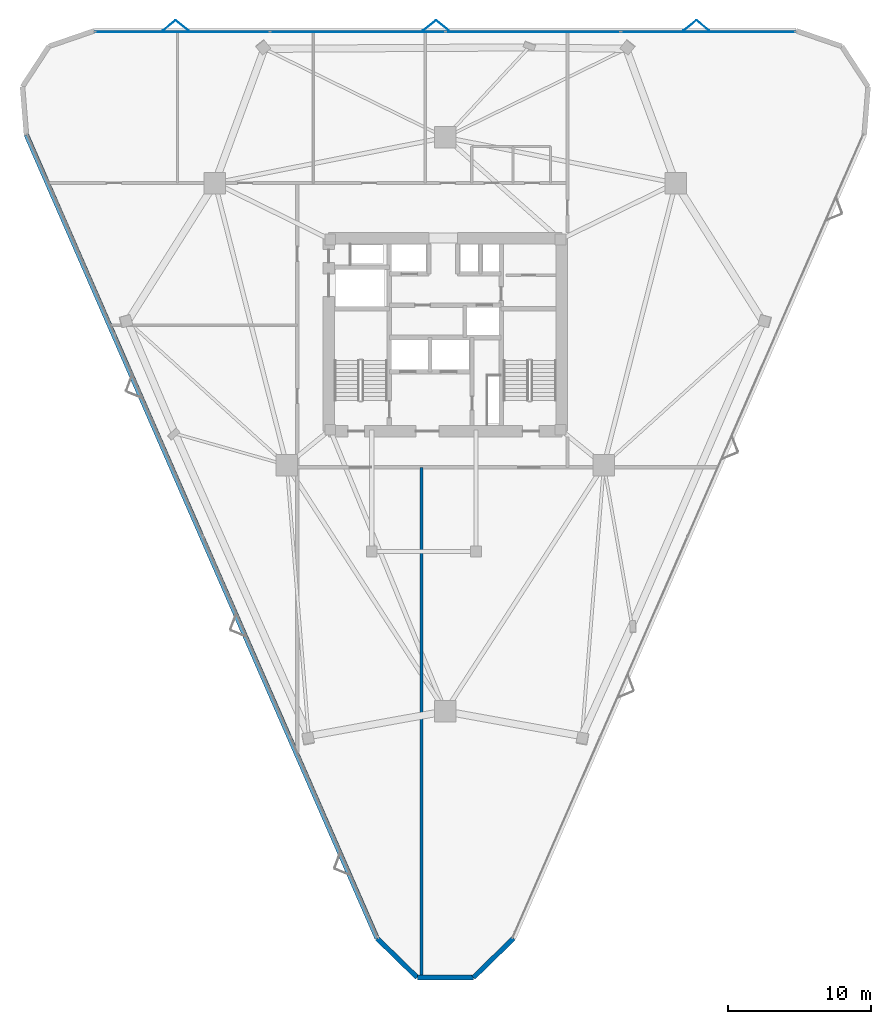
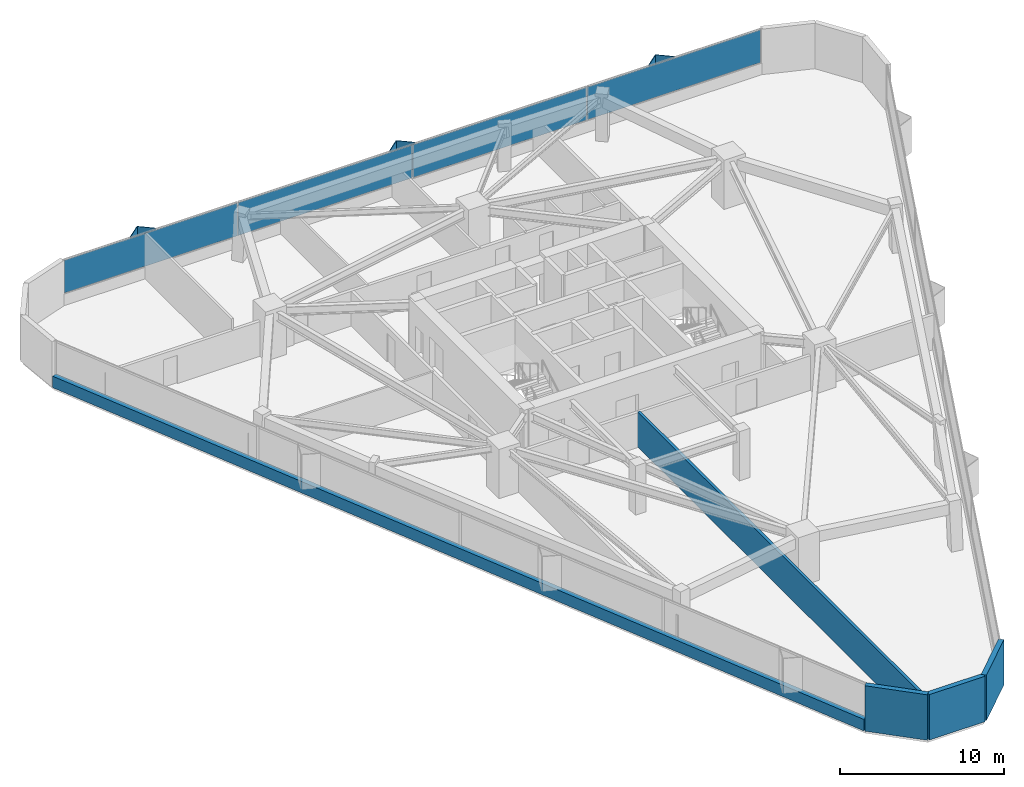
# One storey, part 11 of 15: 10 plates, 5 walls, 1 element without a shape of its own.
"""IFC4 building model written with IfcOpenShell, lengths in metres."""

from ifc_helpers import new_model, si_unit, direction, frame, frame_2d, origin, origin_2d, place, context, subcontext, project, spatial, rectangle, extrude, material, layer, layer_set, type_object, element, aggregate, save


model = new_model("IFC4")

# Units and contexts
model_context = context("Model", 3, precision=1e-05, world=origin(), true_north=direction((0.0, 1.0)))
body_context = subcontext(model_context, "Body", "Model", "MODEL_VIEW")
ifc_project = project(units=[si_unit("LENGTHUNIT", "METRE"), si_unit("AREAUNIT", "SQUARE_METRE"), si_unit("VOLUMEUNIT", "CUBIC_METRE"), si_unit("PLANEANGLEUNIT", "RADIAN"), si_unit("MASSUNIT", "GRAM", prefix="KILO")], contexts=[model_context])

# Site, building, storey
site_placement = place(None, origin())
site = spatial("IfcSite", under=ifc_project, at=site_placement, CompositionType="ELEMENT")
building_placement = place(site_placement, origin())
building = spatial("IfcBuilding", under=site, at=building_placement, Name="Talyreon Biosciences Tower", CompositionType="ELEMENT")
storey_placement = place(building_placement, frame((0.0, 0.0, 127.199951171875)))
storey = spatial("IfcBuildingStorey", under=building, at=storey_placement, Name="L33", CompositionType="ELEMENT", Elevation=127.199951171875)

# Curtain wall, plates
ifc_material_1 = material(Name="Thermally broken aluminium and low-E glazing", Category="aluminium")
ifc_layer_1 = layer(ifc_material_1, 0.18505859375)
ifc_layer_set_1 = layer_set([ifc_layer_1], Name="Thermally broken aluminium and low-E glazing")
curtain_wall_type = type_object("IfcCurtainWallType", Name="CurtainWall_Zone3Bioprocess", PredefinedType="NOTDEFINED", material=ifc_layer_set_1)
curtain_wall_placement = place(storey_placement, origin())
curtain_wall = element("IfcCurtainWall", 1, at=curtain_wall_placement, inside=storey, type_object=curtain_wall_type, Name="L33 Unitised Curtain Wall FCW-L33-04", PredefinedType="NOTDEFINED")
ifc_material_2 = material(Name="Triple-silver low-E insulated glazing", Category="glass")
ifc_layer_2 = layer(ifc_material_2, 0.031982421875)
ifc_layer_set_2 = layer_set([ifc_layer_2], Name="Triple-silver low-E insulated glazing")
plate_type_1 = type_object("IfcPlateType", Name="CWGlazingPanel_32", PredefinedType="CURTAIN_PANEL", material=ifc_layer_set_2)
plate_1_placement = place(storey_placement, frame((47.6240234375, 89.173095703125, 0.875), z_axis=(0.0, 0.0, 1.0), x_axis=(1.0, 0.0, 0.0)))
plate_1 = element("IfcPlate", 2, at=plate_1_placement, type_object=plate_type_1, Name="CW4 panel 1.1", PredefinedType="CURTAIN_PANEL", context=body_context, shape_type="SweptSolid", body=[
    extrude(rectangle(XDim=12.1640625, YDim=0.031982421875, at=origin_2d()), origin(), (0.0, 0.0, 1.0), 2.43505859375),
])
plate_2_placement = place(storey_placement, frame((59.869140625, 89.173095703125, 0.875), z_axis=(0.0, 0.0, 1.0), x_axis=(1.0, 0.0, 0.0)))
plate_2 = element("IfcPlate", 3, at=plate_2_placement, type_object=plate_type_1, Name="CW4 panel 2.1", PredefinedType="CURTAIN_PANEL", context=body_context, shape_type="SweptSolid", body=[
    extrude(rectangle(XDim=12.196533203125, YDim=0.031982421875, at=origin_2d()), origin(), (0.0, 0.0, 1.0), 2.43505859375),
])
plate_3_placement = place(storey_placement, frame((72.130859375, 89.173095703125, 0.875), z_axis=(0.0, 0.0, 1.0), x_axis=(1.0, 0.0, 0.0)))
plate_3 = element("IfcPlate", 4, at=plate_3_placement, type_object=plate_type_1, Name="CW4 panel 3.1", PredefinedType="CURTAIN_PANEL", context=body_context, shape_type="SweptSolid", body=[
    extrude(rectangle(XDim=12.196533203125, YDim=0.031982421875, at=origin_2d()), origin(), (0.0, 0.0, 1.0), 2.43505859375),
])
plate_4_placement = place(storey_placement, frame((84.3759765625, 89.173095703125, 0.875), z_axis=(0.0, 0.0, 1.0), x_axis=(1.0, 0.0, 0.0)))
plate_4 = element("IfcPlate", 5, at=plate_4_placement, type_object=plate_type_1, Name="CW4 panel 4.1", PredefinedType="CURTAIN_PANEL", context=body_context, shape_type="SweptSolid", body=[
    extrude(rectangle(XDim=12.1640625, YDim=0.031982421875, at=origin_2d()), origin(), (0.0, 0.0, 1.0), 2.43505859375),
])
aggregate(curtain_wall, [plate_1, plate_2, plate_3, plate_4])

# Plates
ifc_material_3 = material(Name="Ivory GFRC sunshade panel", Category="concrete")
ifc_layer_3 = layer(ifc_material_3, 0.044921875)
ifc_layer_set_3 = layer_set([ifc_layer_3], Name="Ivory GFRC sunshade panel")
plate_type_2 = type_object("IfcPlateType", Name="FoldedVSunshade_NorthFace_SUNSHADE", PredefinedType="USERDEFINED", material=ifc_layer_set_3)
for number, where, z_axis, x_axis, name in (
    (6, (46.697021484375, 89.613037109375, 0.7900390625), (0.0, 0.0, 1.0), (0.771624583388, 0.636078220278, 0.0), "L33 Folded V-Sunshade Panel 04.01L"),
    (7, (47.596923828125, 89.613037109375, 0.7900390625), (0.0, 0.0, 1.0), (0.771624583388, -0.636078220278, 0.0), "L33 Folded V-Sunshade Panel 04.01R"),
    (8, (64.89697265625, 89.613037109375, 0.7900390625), (0.0, 0.0, 1.0), (0.771624583388, 0.636078220278, 0.0), "L33 Folded V-Sunshade Panel 04.02L"),
    (9, (65.796875, 89.613037109375, 0.7900390625), (0.0, 0.0, 1.0), (0.771624583388, -0.636078220278, 0.0), "L33 Folded V-Sunshade Panel 04.02R"),
    (10, (83.096923828125, 89.613037109375, 0.7900390625), (0.0, 0.0, 1.0), (0.771624583388, 0.636078220278, 0.0), "L33 Folded V-Sunshade Panel 04.03L"),
    (11, (83.996826171875, 89.613037109375, 0.7900390625), (0.0, 0.0, 1.0), (0.771624583388, -0.636078220278, 0.0), "L33 Folded V-Sunshade Panel 04.03R"),
):
    element("IfcPlate", number, at=place(storey_placement, frame(where, z_axis=z_axis, x_axis=x_axis)), inside=storey, type_object=plate_type_2, Name=name, ObjectType="SUNSHADE", PredefinedType="USERDEFINED", context=body_context, shape_type="SweptSolid", body=[
        extrude(rectangle(XDim=1.14990234375, YDim=0.044921875, at=origin_2d()), origin(), (0.0, 0.0, 1.0), 2.5849609375),
    ])

# Walls
ifc_material_4 = material(Name="Gypsum fireboard acoustic stud", Category="gypsum")
ifc_layer_4 = layer(ifc_material_4, 0.199951171875)
ifc_layer_set_4 = layer_set([ifc_layer_4], Name="Gypsum fireboard acoustic stud")
wall_type_1 = type_object("IfcWallType", Name="ChemControlPartition_200", PredefinedType="PARTITIONING", material=ifc_layer_set_4)
wall_1_placement = place(storey_placement, frame((64.330078125, 23.1416015625, 0.0), z_axis=(0.0, 0.0, 1.0), x_axis=(0.0, 1.0, 0.0)))
element("IfcWall", 12, at=wall_1_placement, inside=storey, type_object=wall_type_1, Name="L33 Interior Wall IW-L33-SDIV1", PredefinedType="PARTITIONING", context=body_context, shape_type="SweptSolid", body=[
    extrude(rectangle(XDim=35.58837890625, YDim=0.199951171875, at=frame_2d((17.794189453125, 0.0))), origin(), (0.0, 0.0, 1.0), 2.574951171875),
])
ifc_material_5 = material(Name="Precast concrete C45/55", Category="concrete")
ifc_layer_5 = layer(ifc_material_5, 0.340087890625)
ifc_layer_set_5 = layer_set([ifc_layer_5], Name="Precast concrete C45/55")
wall_type_2 = type_object("IfcWallType", Name="PrecastConcreteSpandrelWall_340", PredefinedType="STANDARD", material=ifc_layer_set_5)
wall_2_placement = place(storey_placement, frame((61.234375, 25.79296875, 0.0), z_axis=(0.0, 0.0, 1.0), x_axis=(-0.400059849946, 0.916489016007, 0.0)))
element("IfcWall", 13, at=wall_2_placement, inside=storey, type_object=wall_type_2, Name="L33 Expressed Concrete Sill Wall 00", PredefinedType="STANDARD", context=body_context, shape_type="SweptSolid", body=[
    extrude(rectangle(XDim=61.298828125, YDim=0.340087890625, at=frame_2d((30.6494140625, 0.0))), origin(), (0.0, 0.0, 1.0), 0.85009765625),
])
wall_3_placement = place(storey_placement, frame((70.765625, 25.79296875, 0.0), z_axis=(0.0, 0.0, 1.0), x_axis=(-0.715927743937, -0.69817438041, 0.0)))
element("IfcWall", 14, at=wall_3_placement, inside=storey, type_object=wall_type_2, Name="L33 Rounded-Corner Concrete Pier 09", PredefinedType="STANDARD", context=body_context, shape_type="SweptSolid", body=[
    extrude(rectangle(XDim=3.919189453125, YDim=0.340087890625, at=frame_2d((1.95947265625, 0.0))), origin(), (0.0, 0.0, 1.0), 3.375),
])
wall_4_placement = place(storey_placement, frame((67.959716796875, 23.056640625, 0.0), z_axis=(0.0, 0.0, 1.0), x_axis=(-1.0, 0.0, 0.0)))
element("IfcWall", 15, at=wall_4_placement, inside=storey, type_object=wall_type_2, Name="L33 Rounded-Corner Concrete Pier 10", PredefinedType="STANDARD", context=body_context, shape_type="SweptSolid", body=[
    extrude(rectangle(XDim=3.91943359375, YDim=0.340087890625, at=frame_2d((1.959716796875, 0.0))), origin(), (0.0, 0.0, 1.0), 3.375),
])
wall_5_placement = place(storey_placement, frame((64.040283203125, 23.056640625, 0.0), z_axis=(0.0, 0.0, 1.0), x_axis=(-0.715927743937, 0.69817438041, 0.0)))
element("IfcWall", 16, at=wall_5_placement, inside=storey, type_object=wall_type_2, Name="L33 Rounded-Corner Concrete Pier 11", PredefinedType="STANDARD", context=body_context, shape_type="SweptSolid", body=[
    extrude(rectangle(XDim=3.919189453125, YDim=0.340087890625, at=frame_2d((1.95947265625, 0.0))), origin(), (0.0, 0.0, 1.0), 3.375),
])

save(model, "model.ifc")
